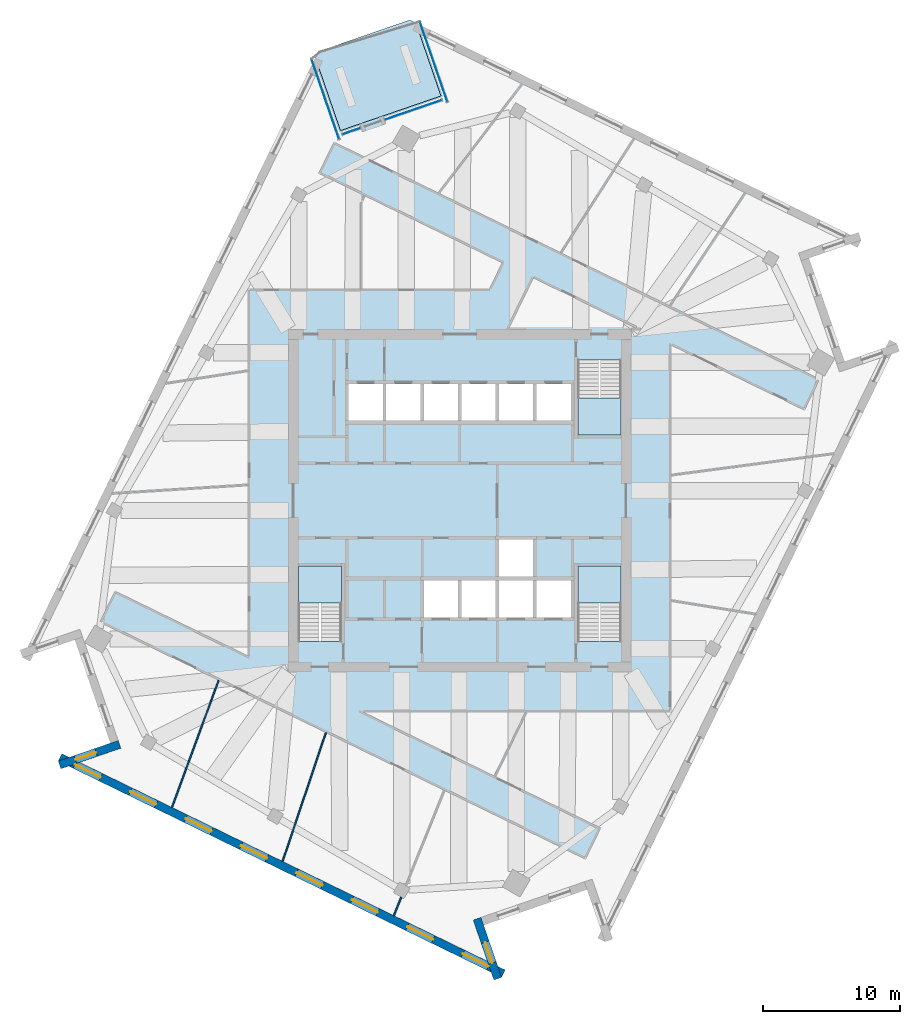
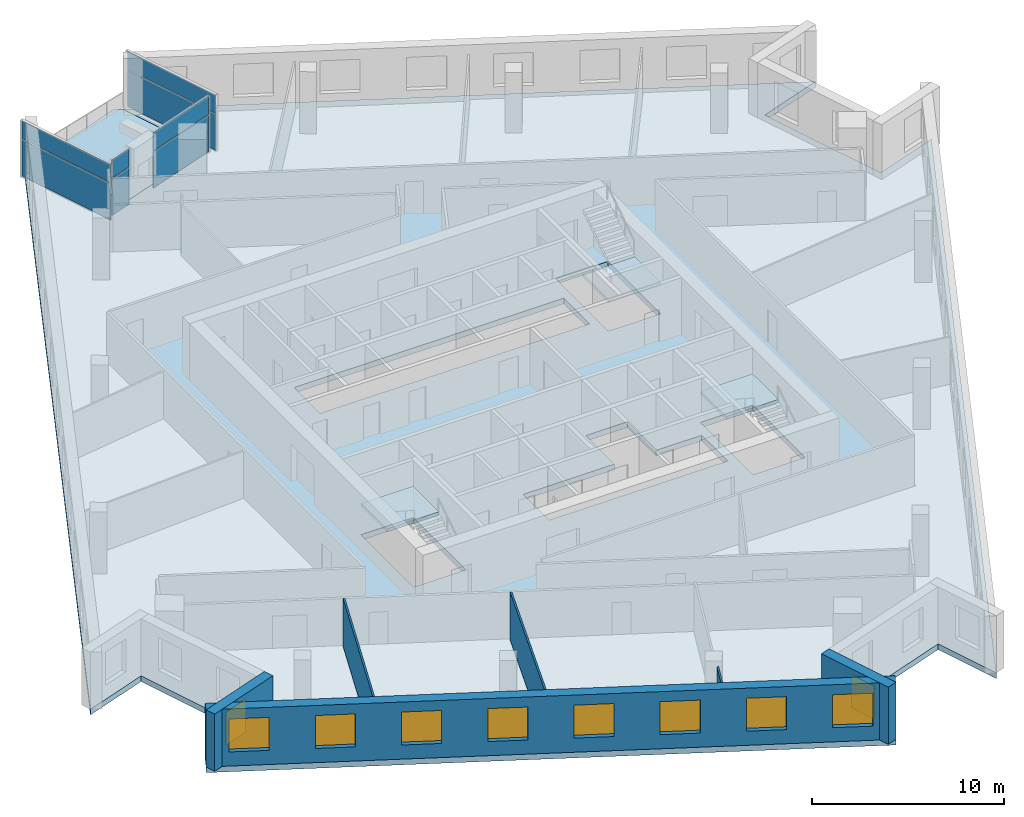
# One storey, part 5 of 13: 10 windows, 8 plates, 6 walls, 5 slabs, 10 openings, 7 elements without a shape of their own.
"""IFC4 building model written with IfcOpenShell, lengths in metres."""

import ifcopenshell
import ifcopenshell.guid

model = None  # the IFC model being written
_history = None  # IfcOwnerHistory: only IFC2X3 demands one
_inside = {}  # id of a spatial element -> (the spatial element, [elements in it])
_under = {}  # id of a project, library or spatial element -> (it, [spatial elements below it])
_declared = {}  # id of a project -> (the project, [libraries it declares])
_typed = {}  # id of a type object -> (the type object, [elements of that type])
_made_of = {}  # id of a material, layer set ... -> (it, [elements and type objects made of it])


def new_model(schema):
    """Start an empty IFC model of exactly this schema.

    Asked for "IFC4X3", IfcOpenShell would pick the latest addendum, in which some entities
    have other attributes; the version numbers below select the first issue.
    IFC2X3 requires an IfcOwnerHistory on every rooted entity: one is made here for all.
    """
    global model, _history
    if schema == "IFC4X3":
        model = ifcopenshell.file(schema_version=(4, 3, 0, 0))
    else:
        model = ifcopenshell.file(schema=schema)
    _inside.clear()
    _under.clear()
    _declared.clear()
    _typed.clear()
    _made_of.clear()
    _history = None
    if model.schema == "IFC2X3":
        org = make("IfcOrganization", Name="unknown")
        user = make(
            "IfcPersonAndOrganization",
            ThePerson=make("IfcPerson", FamilyName="unknown"),
            TheOrganization=org,
        )
        app = make(
            "IfcApplication",
            ApplicationDeveloper=org,
            Version="unknown",
            ApplicationFullName="unknown",
            ApplicationIdentifier="unknown",
        )
        _history = make(
            "IfcOwnerHistory",
            OwningUser=user,
            OwningApplication=app,
            ChangeAction="ADDED",
            CreationDate=0,
        )
    return model


def make(cls, **values):
    """One entity of the class cls with the attributes given. An attribute that is None is left unset."""
    return model.create_entity(
        cls, **{name: value for name, value in values.items() if value is not None}
    )


def rooted(cls, **values):
    """An entity with a GlobalId (a new one), such as an element, a storey or a relation."""
    return make(cls, GlobalId=ifcopenshell.guid.new(), OwnerHistory=_history, **values)


def si_unit(unit_type, name, prefix=None):
    """IfcSIUnit, for example si_unit("LENGTHUNIT", "METRE", prefix="MILLI")."""
    return make("IfcSIUnit", UnitType=unit_type, Prefix=prefix, Name=name)


def assignment(units):
    """IfcUnitAssignment: the units of a project."""
    return None if units is None else make("IfcUnitAssignment", Units=units)


def point(xyz):
    """IfcCartesianPoint."""
    return None if xyz is None else make("IfcCartesianPoint", Coordinates=xyz)


def direction(xyz):
    """IfcDirection."""
    return None if xyz is None else make("IfcDirection", DirectionRatios=xyz)


def frame(location, z_axis=None, x_axis=None):
    """IfcAxis2Placement3D, a coordinate frame: its origin and axes. An axis left out is left unset."""
    return make(
        "IfcAxis2Placement3D",
        Location=point(location),
        Axis=direction(z_axis),
        RefDirection=direction(x_axis),
    )


def frame_2d(location, x_axis=None):
    """IfcAxis2Placement2D, a coordinate frame in the plane: its origin and x axis."""
    return make(
        "IfcAxis2Placement2D", Location=point(location), RefDirection=direction(x_axis)
    )


def origin():
    """The frame at (0, 0, 0) with its axes left unset."""
    return frame((0.0, 0.0, 0.0))


def origin_2d():
    """The frame at (0, 0) in the plane with its x axis left unset."""
    return frame_2d((0.0, 0.0))


def place(relative_to, where):
    """IfcLocalPlacement: puts the frame where relative to a parent placement (None: the world)."""
    return make(
        "IfcLocalPlacement", PlacementRelTo=relative_to, RelativePlacement=where
    )


def context(
    kind, dimensions, precision=None, world=None, true_north=None, identifier=None
):
    """IfcGeometricRepresentationContext, for example the 3D "Model" context."""
    return make(
        "IfcGeometricRepresentationContext",
        ContextIdentifier=identifier,
        ContextType=kind,
        CoordinateSpaceDimension=dimensions,
        Precision=precision,
        WorldCoordinateSystem=world,
        TrueNorth=true_north,
    )


def subcontext(parent, identifier, kind, view, scale=None):
    """IfcGeometricRepresentationSubContext, for example "Body" below "Model"."""
    return make(
        "IfcGeometricRepresentationSubContext",
        ContextIdentifier=identifier,
        ContextType=kind,
        ParentContext=parent,
        TargetScale=scale,
        TargetView=view,
    )


def project(units=None, contexts=None):
    """IfcProject with its units and contexts."""
    return rooted(
        "IfcProject",
        Name="project",
        RepresentationContexts=contexts,
        UnitsInContext=assignment(units),
    )


def spatial(cls, under=None, at=None, **own):
    """A site, building, storey or space (cls), placed at a placement, below another one or the project."""
    s = rooted(cls, ObjectPlacement=at, **own)
    if under is not None:
        _under.setdefault(under.id(), (under, []))[1].append(s)
    return s


def polyline(points):
    """IfcPolyline through the points."""
    return make("IfcPolyline", Points=[point(p) for p in points])


def profile(cls, at=None, kind="AREA", **sizes):
    """A parametric profile (cls). Its sizes go by their IFC names, for example OverallWidth=200.0."""
    return make(cls, ProfileType=kind, Position=at, **sizes)


def rectangle(**sizes):
    """IfcRectangleProfileDef."""
    return profile("IfcRectangleProfileDef", **sizes)


def outline(outer, holes=None, kind="AREA"):
    """IfcArbitraryClosedProfileDef: a profile drawn as a closed curve; with holes, ...WithVoids."""
    if holes is None:
        return make("IfcArbitraryClosedProfileDef", ProfileType=kind, OuterCurve=outer)
    return make(
        "IfcArbitraryProfileDefWithVoids",
        ProfileType=kind,
        OuterCurve=outer,
        InnerCurves=holes,
    )


def extrude(swept, where, along, depth):
    """IfcExtrudedAreaSolid: the profile swept, set in the frame where, extruded along a direction by depth."""
    return make(
        "IfcExtrudedAreaSolid",
        SweptArea=swept,
        Position=where,
        ExtrudedDirection=direction(along),
        Depth=depth,
    )


def shape(context_of_items, identifier, shape_type, items):
    """IfcShapeRepresentation: the items that make up one representation, for example the "Body"."""
    return make(
        "IfcShapeRepresentation",
        ContextOfItems=context_of_items,
        RepresentationIdentifier=identifier,
        RepresentationType=shape_type,
        Items=items,
    )


def material(Name=None, Category=None):
    """IfcMaterial."""
    return make("IfcMaterial", Name=Name, Category=Category)


def layer(
    of_material, thickness, ventilated=None, Name=None, Category=None, Priority=None
):
    """IfcMaterialLayer: one layer of a wall or slab, of a material (None: an air gap)."""
    return make(
        "IfcMaterialLayer",
        Material=of_material,
        LayerThickness=thickness,
        IsVentilated=ventilated,
        Name=Name,
        Category=Category,
        Priority=Priority,
    )


def layer_set(layers, Name=None):
    """IfcMaterialLayerSet."""
    return make("IfcMaterialLayerSet", MaterialLayers=layers, LayerSetName=Name)


def made_of(thing, what):
    """Note that an element or type object is made of a material, layer set ...; save() writes the relation."""
    if what is not None:
        _made_of.setdefault(what.id(), (what, []))[1].append(thing)
    return thing


def type_object(cls, material=None, **own):
    """A type object (cls), such as IfcWallType, which elements share."""
    return made_of(rooted(cls, **own), material)


def element(
    cls,
    number,
    at=None,
    inside=None,
    cuts=None,
    type_object=None,
    material=None,
    context=None,
    identifier="Body",
    shape_type=None,
    held_by="IfcProductDefinitionShape",
    body=None,
    shapes=None,
    **own,
):
    """One element of the class cls, such as IfcWall. Its Tag is "e" and its number.

    at: its placement. inside: the storey or other place that contains it. cuts: it is an
    opening in that element (IfcRelVoidsElement). A single representation is given by context,
    identifier, shape_type and body (its items); several are given by shapes. held_by: the class
    of the entity that holds the representations. save() writes the other relations.
    """
    e = rooted(cls, Tag="e%d" % number, ObjectPlacement=at, **own)
    if body is not None:
        shapes = [shape(context, identifier, shape_type, body)]
    if shapes is not None:
        e.Representation = make(held_by, Representations=shapes)
    if inside is not None:
        _inside.setdefault(inside.id(), (inside, []))[1].append(e)
    if cuts is not None:
        rooted(
            "IfcRelVoidsElement", RelatingBuildingElement=cuts, RelatedOpeningElement=e
        )
    if type_object is not None:
        _typed.setdefault(type_object.id(), (type_object, []))[1].append(e)
    return made_of(e, material)


def fill(opening, filler):
    """IfcRelFillsElement: the door or window that sits in an opening."""
    return rooted(
        "IfcRelFillsElement",
        RelatingOpeningElement=opening,
        RelatedBuildingElement=filler,
    )


def aggregate(whole, parts):
    """IfcRelAggregates: a whole, such as a stair, and the parts it consists of."""
    return rooted("IfcRelAggregates", RelatingObject=whole, RelatedObjects=parts)


def save(model, path):
    """Write the relations noted so far, then the file.

    IfcRelAggregates (storeys below a building ...), IfcRelContainedInSpatialStructure (elements
    in a storey), IfcRelDefinesByType, IfcRelAssociatesMaterial and IfcRelDeclares: one each for
    every whole, place, type object, material and project.
    """
    for whole, parts in _under.values():
        aggregate(whole, parts)
    for where, things in _inside.values():
        rooted(
            "IfcRelContainedInSpatialStructure",
            RelatedElements=things,
            RelatingStructure=where,
        )
    for kind, things in _typed.values():
        rooted("IfcRelDefinesByType", RelatedObjects=things, RelatingType=kind)
    for what, things in _made_of.values():
        rooted("IfcRelAssociatesMaterial", RelatedObjects=things, RelatingMaterial=what)
    for by, libraries in _declared.values():
        rooted("IfcRelDeclares", RelatingContext=by, RelatedDefinitions=libraries)
    model.write(path)


model = new_model("IFC4")

# Units and contexts
model_context = context("Model", 3, precision=1e-05, world=origin(), true_north=direction((0.0, 1.0)))
body_context = subcontext(model_context, "Body", "Model", "MODEL_VIEW")
ifc_project = project(units=[si_unit("LENGTHUNIT", "METRE"), si_unit("AREAUNIT", "SQUARE_METRE"), si_unit("VOLUMEUNIT", "CUBIC_METRE"), si_unit("PLANEANGLEUNIT", "RADIAN"), si_unit("MASSUNIT", "GRAM", prefix="KILO")], contexts=[model_context])

# Site, building, storey
site_placement = place(None, origin())
site = spatial("IfcSite", under=ifc_project, at=site_placement, CompositionType="ELEMENT")
building_placement = place(site_placement, origin())
building = spatial("IfcBuilding", under=site, at=building_placement, Name="Dilmun Exchange Tower", CompositionType="ELEMENT")
storey_placement = place(building_placement, frame((0.0, 0.0, 286.89990234375)))
storey = spatial("IfcBuildingStorey", under=building, at=storey_placement, Name="L68", CompositionType="ELEMENT", Elevation=286.89990234375)

# Stair, slab
ifc_material_1 = material(Name="Concrete C40/50", Category="concrete")
stair_type = type_object("IfcStairType", Name="Exit stair 1500 half-turn", PredefinedType="HALF_TURN_STAIR", material=ifc_material_1)
stair_1_placement = place(storey_placement, origin())
stair_1 = element("IfcStair", 1, at=stair_1_placement, inside=storey, type_object=stair_type, Name="L68 Protected exit stair ST1", PredefinedType="HALF_TURN_STAIR")
ifc_layer_1 = layer(ifc_material_1, 0.199951171875)
ifc_layer_set_1 = layer_set([ifc_layer_1], Name="Concrete C40/50")
slab_type_1 = type_object("IfcSlabType", Name="Exit stair landing 200", PredefinedType="LANDING", material=ifc_layer_set_1)
slab_1_placement = place(storey_placement, frame((0.0, 0.0, 1.800048828125)))
slab_1 = element("IfcSlab", 2, at=slab_1_placement, type_object=slab_type_1, Name="ST1 landing 1", PredefinedType="LANDING", context=body_context, shape_type="SweptSolid", body=[
    extrude(outline(polyline([(8.64990234375, 7.5), (8.64990234375, 4.800048828125), (11.800048828125, 4.800048828125), (11.800048828125, 7.5), (8.64990234375, 7.5)])), origin(), (0.0, 0.0, 1.0), 0.199951171875),
])
aggregate(stair_1, [slab_1])

stair_2_placement = place(storey_placement, origin())
stair_2 = element("IfcStair", 3, at=stair_2_placement, inside=storey, type_object=stair_type, Name="L68 Protected exit stair ST2", PredefinedType="HALF_TURN_STAIR")
slab_2_placement = place(storey_placement, frame((0.0, 0.0, 1.800048828125)))
slab_2 = element("IfcSlab", 4, at=slab_2_placement, type_object=slab_type_1, Name="ST2 landing 1", PredefinedType="LANDING", context=body_context, shape_type="SweptSolid", body=[
    extrude(outline(polyline([(-8.64990234375, -7.5), (-8.64990234375, -4.800048828125), (-11.800048828125, -4.800048828125), (-11.800048828125, -7.5), (-8.64990234375, -7.5)])), origin(), (0.0, 0.0, 1.0), 0.199951171875),
])
aggregate(stair_2, [slab_2])

stair_3_placement = place(storey_placement, origin())
stair_3 = element("IfcStair", 5, at=stair_3_placement, inside=storey, type_object=stair_type, Name="L68 Protected exit stair ST3", PredefinedType="HALF_TURN_STAIR")
slab_3_placement = place(storey_placement, frame((0.0, 0.0, 1.800048828125)))
slab_3 = element("IfcSlab", 6, at=slab_3_placement, type_object=slab_type_1, Name="ST3 landing 1", PredefinedType="LANDING", context=body_context, shape_type="SweptSolid", body=[
    extrude(outline(polyline([(11.800048828125, -7.5), (11.800048828125, -4.800048828125), (8.64990234375, -4.800048828125), (8.64990234375, -7.5), (11.800048828125, -7.5)])), origin(), (0.0, 0.0, 1.0), 0.199951171875),
])
aggregate(stair_3, [slab_3])

# Curtain wall, plates
ifc_material_2 = material(Name="Anodised aluminium and clear glass", Category="aluminium")
curtain_wall_type = type_object("IfcCurtainWallType", Name="Garden corner glazing", PredefinedType="NOTDEFINED", material=ifc_material_2)
curtain_wall_1_placement = place(storey_placement, origin())
curtain_wall_1 = element("IfcCurtainWall", 7, at=curtain_wall_1_placement, inside=storey, type_object=curtain_wall_type, Name="Garden corner glazing run GC1.1", PredefinedType="NOTDEFINED")
ifc_material_3 = material(Name="Clear glass", Category="glass")
ifc_layer_2 = layer(ifc_material_3, 0.028076171875)
ifc_layer_set_2 = layer_set([ifc_layer_2], Name="Clear glass")
plate_type = type_object("IfcPlateType", Name="Garden corner glazing glass panel 28", PredefinedType="CURTAIN_PANEL", material=ifc_layer_set_2)
plate_1_placement = place(storey_placement, frame((-1.906494140625, 32.086669921875, 0.06005859375), z_axis=(0.0, 0.0, 1.0), x_axis=(0.325577698297, -0.945515289338, 0.0)))
plate_1 = element("IfcPlate", 8, at=plate_1_placement, type_object=plate_type, Name="GC1.1 panel 1.1", PredefinedType="CURTAIN_PANEL", context=body_context, shape_type="SweptSolid", body=[
    extrude(rectangle(XDim=6.12646484375, YDim=0.028076171875, at=origin_2d()), origin(), (0.0, 0.0, 1.0), 2.31005859375),
])
plate_2_placement = place(storey_placement, frame((-1.906494140625, 32.086669921875, 2.43017578125), z_axis=(0.0, 0.0, 1.0), x_axis=(0.325577698297, -0.945515289338, 0.0)))
plate_2 = element("IfcPlate", 9, at=plate_2_placement, type_object=plate_type, Name="GC1.1 panel 1.2", PredefinedType="CURTAIN_PANEL", context=body_context, shape_type="SweptSolid", body=[
    extrude(rectangle(XDim=6.12646484375, YDim=0.028076171875, at=origin_2d()), origin(), (0.0, 0.0, 1.0), 1.14990234375),
])
aggregate(curtain_wall_1, [plate_1, plate_2])

curtain_wall_2_placement = place(storey_placement, origin())
curtain_wall_2 = element("IfcCurtainWall", 10, at=curtain_wall_2_placement, inside=storey, type_object=curtain_wall_type, Name="Garden corner glazing run GC2.1", PredefinedType="NOTDEFINED")
plate_3_placement = place(storey_placement, frame((-3.393310546875, 28.5888671875, 0.06005859375), z_axis=(0.0, 0.0, 1.0), x_axis=(-0.945520837584, -0.325561585103, 0.0)))
plate_3 = element("IfcPlate", 11, at=plate_3_placement, type_object=plate_type, Name="GC2.1 panel 1.1", PredefinedType="CURTAIN_PANEL", context=body_context, shape_type="SweptSolid", body=[
    extrude(rectangle(XDim=4.369140625, YDim=0.028076171875, at=origin_2d()), origin(), (0.0, 0.0, 1.0), 2.31005859375),
])
plate_4_placement = place(storey_placement, frame((-3.393310546875, 28.5888671875, 2.43017578125), z_axis=(0.0, 0.0, 1.0), x_axis=(-0.945520837584, -0.325561585103, 0.0)))
plate_4 = element("IfcPlate", 12, at=plate_4_placement, type_object=plate_type, Name="GC2.1 panel 1.2", PredefinedType="CURTAIN_PANEL", context=body_context, shape_type="SweptSolid", body=[
    extrude(rectangle(XDim=4.369140625, YDim=0.028076171875, at=origin_2d()), origin(), (0.0, 0.0, 1.0), 1.14990234375),
])
aggregate(curtain_wall_2, [plate_3, plate_4])

curtain_wall_3_placement = place(storey_placement, origin())
curtain_wall_3 = element("IfcCurtainWall", 13, at=curtain_wall_3_placement, inside=storey, type_object=curtain_wall_type, Name="Garden corner glazing run GC2.3", PredefinedType="NOTDEFINED")
plate_5_placement = place(storey_placement, frame((-7.92138671875, 27.02978515625, 0.06005859375), z_axis=(0.0, 0.0, 1.0), x_axis=(-0.945521320694, -0.325560182015, 0.0)))
plate_5 = element("IfcPlate", 14, at=plate_5_placement, type_object=plate_type, Name="GC2.3 panel 1.1", PredefinedType="CURTAIN_PANEL", context=body_context, shape_type="SweptSolid", body=[
    extrude(rectangle(XDim=1.369140625, YDim=0.028076171875, at=origin_2d()), origin(), (0.0, 0.0, 1.0), 2.31005859375),
])
plate_6_placement = place(storey_placement, frame((-7.92138671875, 27.02978515625, 2.43017578125), z_axis=(0.0, 0.0, 1.0), x_axis=(-0.945521320694, -0.325560182015, 0.0)))
plate_6 = element("IfcPlate", 15, at=plate_6_placement, type_object=plate_type, Name="GC2.3 panel 1.2", PredefinedType="CURTAIN_PANEL", context=body_context, shape_type="SweptSolid", body=[
    extrude(rectangle(XDim=1.369140625, YDim=0.028076171875, at=origin_2d()), origin(), (0.0, 0.0, 1.0), 1.14990234375),
])
aggregate(curtain_wall_3, [plate_5, plate_6])

curtain_wall_4_placement = place(storey_placement, origin())
curtain_wall_4 = element("IfcCurtainWall", 16, at=curtain_wall_4_placement, inside=storey, type_object=curtain_wall_type, Name="Garden corner glazing run GC3.1", PredefinedType="NOTDEFINED")
plate_7_placement = place(storey_placement, frame((-9.828125, 29.359130859375, 0.06005859375), z_axis=(0.0, 0.0, 1.0), x_axis=(-0.325572770145, 0.945516986278, 0.0)))
plate_7 = element("IfcPlate", 17, at=plate_7_placement, type_object=plate_type, Name="GC3.1 panel 1.1", PredefinedType="CURTAIN_PANEL", context=body_context, shape_type="SweptSolid", body=[
    extrude(rectangle(XDim=6.12646484375, YDim=0.028076171875, at=origin_2d()), origin(), (0.0, 0.0, 1.0), 2.31005859375),
])
plate_8_placement = place(storey_placement, frame((-9.828125, 29.359130859375, 2.43017578125), z_axis=(0.0, 0.0, 1.0), x_axis=(-0.325572770145, 0.945516986278, 0.0)))
plate_8 = element("IfcPlate", 18, at=plate_8_placement, type_object=plate_type, Name="GC3.1 panel 1.2", PredefinedType="CURTAIN_PANEL", context=body_context, shape_type="SweptSolid", body=[
    extrude(rectangle(XDim=6.12646484375, YDim=0.028076171875, at=origin_2d()), origin(), (0.0, 0.0, 1.0), 1.14990234375),
])
aggregate(curtain_wall_4, [plate_7, plate_8])

# Slabs
ifc_layer_3 = layer(ifc_material_1, 0.360107421875)
ifc_layer_set_3 = layer_set([ifc_layer_3], Name="Concrete C40/50")
slab_type_2 = type_object("IfcSlabType", Name="RC floor slab 360", PredefinedType="FLOOR", material=ifc_layer_set_3)
slab_4_placement = place(storey_placement, frame((0.0, 0.0, -0.35986328125)))
element("IfcSlab", 19, at=slab_4_placement, inside=storey, type_object=slab_type_2, Name="Floor slab", PredefinedType="FLOOR", context=body_context, shape_type="SweptSolid", body=[
    extrude(outline(polyline([(25.552490234375, 17.740478515625), (28.156982421875, 10.17626953125), (31.972900390625, 11.489990234375), (10.630126953125, -32.268798828125), (9.316162109375, -28.453125), (1.752197265625, -31.0576171875), (3.06591796875, -34.873291015625), (-29.3681640625, -19.05419921875), (-25.552490234375, -17.740478515625), (-28.156982421875, -10.17626953125), (-31.972900390625, -11.489990234375), (-10.561279296875, 32.409912109375), (-8.722900390625, 27.071044921875), (-1.36865234375, 29.603515625), (-3.206787109375, 34.942138671875), (29.3681640625, 19.05419921875), (25.552490234375, 17.740478515625)]), holes=[polyline([(-8.64990234375, -4.800048828125), (-11.800048828125, -4.800048828125), (-11.800048828125, -10.294921875), (-8.64990234375, -10.294921875), (-8.64990234375, -4.800048828125)]), polyline([(11.800048828125, -4.800048828125), (8.64990234375, -4.800048828125), (8.64990234375, -10.294921875), (11.800048828125, -10.294921875), (11.800048828125, -4.800048828125)]), polyline([(2.875, -5.85009765625), (-2.625, -5.85009765625), (-2.625, -8.550048828125), (8.125, -8.550048828125), (8.125, -5.85009765625), (5.375, -5.85009765625), (5.375, -2.85009765625), (2.875, -2.85009765625), (2.875, -5.85009765625)]), polyline([(8.125, 5.85009765625), (8.125, 8.550048828125), (-8.125, 8.550048828125), (-8.125, 5.85009765625), (8.125, 5.85009765625)]), polyline([(8.64990234375, 10.294921875), (8.64990234375, 4.800048828125), (11.800048828125, 4.800048828125), (11.800048828125, 10.294921875), (8.64990234375, 10.294921875)])]), origin(), (0.0, 0.0, 1.0), 0.35986328125),
])
ifc_layer_4 = layer(ifc_material_1, 0.300048828125)
ifc_layer_set_4 = layer_set([ifc_layer_4], Name="Concrete C40/50")
slab_type_3 = type_object("IfcSlabType", Name="RC garden terrace slab 300", PredefinedType="FLOOR", material=ifc_layer_set_4)
slab_5_placement = place(storey_placement, frame((0.0, 0.0, -0.2998046875)))
element("IfcSlab", 20, at=slab_5_placement, inside=storey, type_object=slab_type_3, Name="Garden terrace slab", PredefinedType="FLOOR", context=body_context, shape_type="SweptSolid", body=[
    extrude(outline(polyline([(-8.722900390625, 27.071044921875), (-10.561279296875, 32.409912109375), (-10.342041015625, 32.859130859375), (-3.65625, 35.161376953125), (-3.206787109375, 34.942138671875), (-1.36865234375, 29.603515625), (-8.722900390625, 27.071044921875)])), origin(), (0.0, 0.0, 1.0), 0.2998046875),
])

# Walls
ifc_material_4 = material(Name="Partition 100")
ifc_layer_5 = layer(ifc_material_4, 0.10009765625)
ifc_layer_set_5 = layer_set([ifc_layer_5], Name="Partition 100")
wall_type_1 = type_object("IfcWallType", Name="Partition 100", PredefinedType="PARTITIONING", material=ifc_layer_set_5)
wall_1_placement = place(storey_placement, frame((-21.050537109375, -22.441162109375, 0.0), z_axis=(0.0, 0.0, 1.0), x_axis=(0.344611208879, 0.938745500503, 0.0)))
element("IfcWall", 21, at=wall_1_placement, inside=storey, type_object=wall_type_1, Name="Partition", PredefinedType="PARTITIONING", context=body_context, shape_type="SweptSolid", body=[
    extrude(rectangle(XDim=9.897705078125, YDim=0.10009765625, at=frame_2d((4.94873046875, 0.0))), origin(), (0.0, 0.0, 1.0), 3.0400390625),
])
wall_2_placement = place(storey_placement, frame((-12.95654296875, -26.388916015625, 0.0), z_axis=(0.0, 0.0, 1.0), x_axis=(0.318735029826, 0.947843858851, 0.0)))
element("IfcWall", 22, at=wall_2_placement, inside=storey, type_object=wall_type_1, Name="Partition", PredefinedType="PARTITIONING", context=body_context, shape_type="SweptSolid", body=[
    extrude(rectangle(XDim=9.927734375, YDim=0.10009765625, at=frame_2d((4.9638671875, 0.0))), origin(), (0.0, 0.0, 1.0), 3.0400390625),
])
wall_3_placement = place(storey_placement, frame((-4.81689453125, -30.35888671875, 0.0), z_axis=(0.0, 0.0, 1.0), x_axis=(0.373182072461, 0.927758126234, 0.0)))
element("IfcWall", 23, at=wall_3_placement, inside=storey, type_object=wall_type_1, Name="Partition", PredefinedType="PARTITIONING", context=body_context, shape_type="SweptSolid", body=[
    extrude(rectangle(XDim=1.456298828125, YDim=0.10009765625, at=frame_2d((0.72802734375, 0.0))), origin(), (0.0, 0.0, 1.0), 3.64013671875),
])

# Wall, opening, window
ifc_material_5 = material(Name="Precast concrete C50/60", Category="concrete")
ifc_layer_6 = layer(ifc_material_5, 0.60009765625)
ifc_layer_set_6 = layer_set([ifc_layer_6], Name="Precast concrete C50/60")
wall_type_2 = type_object("IfcWallType", Name="Precast stone-clad wall 600", PredefinedType="STANDARD", material=ifc_layer_set_6)
wall_4_placement = place(storey_placement, frame((-24.8876953125, -17.82861328125, 0.0), z_axis=(0.0, 0.0, 1.0), x_axis=(-0.945508349791, -0.325597850847, 0.0)))
wall_4 = element("IfcWall", 24, at=wall_4_placement, inside=storey, type_object=wall_type_2, Name="Facade wall L68-06", PredefinedType="STANDARD", context=body_context, shape_type="SweptSolid", body=[
    extrude(rectangle(XDim=4.635498046875, YDim=0.60009765625, at=frame_2d((2.31787109375, 0.0))), origin(), (0.0, 0.0, 1.0), 3.64013671875),
])
opening_1_placement = place(wall_4_placement, frame((1.81787109375, 0.0, 0.89990234375)))
opening_1 = element("IfcOpeningElement", 25, at=opening_1_placement, cuts=wall_4, Name="Opening W160-210", PredefinedType="OPENING", context=body_context, shape_type="SweptSolid", body=[
    extrude(rectangle(XDim=1.60009765625, YDim=2.10009765625, at=frame_2d((0.800048828125, 1.050048828125))), frame((0.0, 0.31005859375, 0.0), z_axis=(0.0, -1.0, 0.0), x_axis=(1.0, 0.0, 0.0)), (0.0, 0.0, 1.0), 0.6201171875),
])
ifc_material_6 = material(Name="Clear low-emissivity glass in aluminium frame", Category="aluminium")
window_type_1 = type_object("IfcWindowType", Name="Punched window 1600 x 2100", PartitioningType="DOUBLE_PANEL_VERTICAL", PredefinedType="WINDOW", material=ifc_material_6)
window_1_placement = place(opening_1_placement, origin())
window_1 = element("IfcWindow", 26, at=window_1_placement, inside=storey, type_object=window_type_1, Name="Window 7.1", OverallHeight=2.10009765625, OverallWidth=1.60009765625, PartitioningType="SINGLE_PANEL", PredefinedType="WINDOW", context=body_context, shape_type="SweptSolid", body=[
    extrude(rectangle(XDim=1.60009765625, YDim=2.10009765625, at=frame_2d((0.800048828125, 1.050048828125))), frame((0.0, 0.030029296875, 0.0), z_axis=(0.0, -1.0, 0.0), x_axis=(1.0, 0.0, 0.0)), (0.0, 0.0, 1.0), 0.06005859375),
])
fill(opening_1, window_1)

# Wall, openings, windows
wall_5_placement = place(storey_placement, frame((-29.23681640625, -18.78466796875, 0.0), z_axis=(0.0, 0.0, 1.0), x_axis=(0.898796077823, -0.438366981524, 0.0)))
wall_5 = element("IfcWall", 27, at=wall_5_placement, inside=storey, type_object=wall_type_2, Name="Facade wall L68-07", PredefinedType="STANDARD", context=body_context, shape_type="SweptSolid", body=[
    extrude(rectangle(XDim=36.08642578125, YDim=0.60009765625, at=frame_2d((18.043212890625, 0.0))), origin(), (0.0, 0.0, 1.0), 3.64013671875),
])
opening_2_placement = place(wall_5_placement, frame((1.205322265625, 0.0, 0.89990234375)))
opening_2 = element("IfcOpeningElement", 28, at=opening_2_placement, cuts=wall_5, Name="Opening W210-210", PredefinedType="OPENING", context=body_context, shape_type="SweptSolid", body=[
    extrude(rectangle(XDim=2.10009765625, YDim=2.10009765625, at=frame_2d((1.050048828125, 1.050048828125))), frame((0.0, 0.31005859375, 0.0), z_axis=(0.0, -1.0, 0.0), x_axis=(1.0, 0.0, 0.0)), (0.0, 0.0, 1.0), 0.6201171875),
])
opening_3_placement = place(wall_5_placement, frame((5.71630859375, 0.0, 0.89990234375)))
opening_3 = element("IfcOpeningElement", 29, at=opening_3_placement, cuts=wall_5, Name="Opening W210-210", PredefinedType="OPENING", context=body_context, shape_type="SweptSolid", body=[
    extrude(rectangle(XDim=2.10009765625, YDim=2.10009765625, at=frame_2d((1.050048828125, 1.050048828125))), frame((0.0, 0.31005859375, 0.0), z_axis=(0.0, -1.0, 0.0), x_axis=(1.0, 0.0, 0.0)), (0.0, 0.0, 1.0), 0.6201171875),
])
opening_4_placement = place(wall_5_placement, frame((10.22705078125, 0.0, 0.89990234375)))
opening_4 = element("IfcOpeningElement", 30, at=opening_4_placement, cuts=wall_5, Name="Opening W210-210", PredefinedType="OPENING", context=body_context, shape_type="SweptSolid", body=[
    extrude(rectangle(XDim=2.10009765625, YDim=2.10009765625, at=frame_2d((1.050048828125, 1.050048828125))), frame((0.0, 0.31005859375, 0.0), z_axis=(0.0, -1.0, 0.0), x_axis=(1.0, 0.0, 0.0)), (0.0, 0.0, 1.0), 0.6201171875),
])
opening_5_placement = place(wall_5_placement, frame((14.73779296875, 0.0, 0.89990234375)))
opening_5 = element("IfcOpeningElement", 31, at=opening_5_placement, cuts=wall_5, Name="Opening W210-210", PredefinedType="OPENING", context=body_context, shape_type="SweptSolid", body=[
    extrude(rectangle(XDim=2.10009765625, YDim=2.10009765625, at=frame_2d((1.050048828125, 1.050048828125))), frame((0.0, 0.31005859375, 0.0), z_axis=(0.0, -1.0, 0.0), x_axis=(1.0, 0.0, 0.0)), (0.0, 0.0, 1.0), 0.6201171875),
])
opening_6_placement = place(wall_5_placement, frame((19.24853515625, 0.0, 0.89990234375)))
opening_6 = element("IfcOpeningElement", 32, at=opening_6_placement, cuts=wall_5, Name="Opening W210-210", PredefinedType="OPENING", context=body_context, shape_type="SweptSolid", body=[
    extrude(rectangle(XDim=2.10009765625, YDim=2.10009765625, at=frame_2d((1.050048828125, 1.050048828125))), frame((0.0, 0.31005859375, 0.0), z_axis=(0.0, -1.0, 0.0), x_axis=(1.0, 0.0, 0.0)), (0.0, 0.0, 1.0), 0.6201171875),
])
opening_7_placement = place(wall_5_placement, frame((23.75927734375, 0.0, 0.89990234375)))
opening_7 = element("IfcOpeningElement", 33, at=opening_7_placement, cuts=wall_5, Name="Opening W210-210", PredefinedType="OPENING", context=body_context, shape_type="SweptSolid", body=[
    extrude(rectangle(XDim=2.10009765625, YDim=2.10009765625, at=frame_2d((1.050048828125, 1.050048828125))), frame((0.0, 0.31005859375, 0.0), z_axis=(0.0, -1.0, 0.0), x_axis=(1.0, 0.0, 0.0)), (0.0, 0.0, 1.0), 0.6201171875),
])
opening_8_placement = place(wall_5_placement, frame((28.27001953125, 0.0, 0.89990234375)))
opening_8 = element("IfcOpeningElement", 34, at=opening_8_placement, cuts=wall_5, Name="Opening W210-210", PredefinedType="OPENING", context=body_context, shape_type="SweptSolid", body=[
    extrude(rectangle(XDim=2.10009765625, YDim=2.10009765625, at=frame_2d((1.050048828125, 1.050048828125))), frame((0.0, 0.31005859375, 0.0), z_axis=(0.0, -1.0, 0.0), x_axis=(1.0, 0.0, 0.0)), (0.0, 0.0, 1.0), 0.6201171875),
])
opening_9_placement = place(wall_5_placement, frame((32.781005859375, 0.0, 0.89990234375)))
opening_9 = element("IfcOpeningElement", 35, at=opening_9_placement, cuts=wall_5, Name="Opening W210-210", PredefinedType="OPENING", context=body_context, shape_type="SweptSolid", body=[
    extrude(rectangle(XDim=2.10009765625, YDim=2.10009765625, at=frame_2d((1.050048828125, 1.050048828125))), frame((0.0, 0.31005859375, 0.0), z_axis=(0.0, -1.0, 0.0), x_axis=(1.0, 0.0, 0.0)), (0.0, 0.0, 1.0), 0.6201171875),
])
window_type_2 = type_object("IfcWindowType", Name="Punched window 2100 x 2100", PartitioningType="DOUBLE_PANEL_VERTICAL", PredefinedType="WINDOW", material=ifc_material_6)
window_2_placement = place(opening_2_placement, origin())
window_2 = element("IfcWindow", 36, at=window_2_placement, inside=storey, type_object=window_type_2, Name="Window 8.1", OverallHeight=2.10009765625, OverallWidth=2.10009765625, PartitioningType="SINGLE_PANEL", PredefinedType="WINDOW", context=body_context, shape_type="SweptSolid", body=[
    extrude(rectangle(XDim=2.10009765625, YDim=2.10009765625, at=frame_2d((1.050048828125, 1.050048828125))), frame((0.0, 0.030029296875, 0.0), z_axis=(0.0, -1.0, 0.0), x_axis=(1.0, 0.0, 0.0)), (0.0, 0.0, 1.0), 0.06005859375),
])
fill(opening_2, window_2)
window_3_placement = place(opening_3_placement, origin())
window_3 = element("IfcWindow", 37, at=window_3_placement, inside=storey, type_object=window_type_2, Name="Window 8.2", OverallHeight=2.10009765625, OverallWidth=2.10009765625, PartitioningType="SINGLE_PANEL", PredefinedType="WINDOW", context=body_context, shape_type="SweptSolid", body=[
    extrude(rectangle(XDim=2.10009765625, YDim=2.10009765625, at=frame_2d((1.050048828125, 1.050048828125))), frame((0.0, 0.030029296875, 0.0), z_axis=(0.0, -1.0, 0.0), x_axis=(1.0, 0.0, 0.0)), (0.0, 0.0, 1.0), 0.06005859375),
])
fill(opening_3, window_3)
window_4_placement = place(opening_4_placement, origin())
window_4 = element("IfcWindow", 38, at=window_4_placement, inside=storey, type_object=window_type_2, Name="Window 8.3", OverallHeight=2.10009765625, OverallWidth=2.10009765625, PartitioningType="SINGLE_PANEL", PredefinedType="WINDOW", context=body_context, shape_type="SweptSolid", body=[
    extrude(rectangle(XDim=2.10009765625, YDim=2.10009765625, at=frame_2d((1.050048828125, 1.050048828125))), frame((0.0, 0.030029296875, 0.0), z_axis=(0.0, -1.0, 0.0), x_axis=(1.0, 0.0, 0.0)), (0.0, 0.0, 1.0), 0.06005859375),
])
fill(opening_4, window_4)
window_5_placement = place(opening_5_placement, origin())
window_5 = element("IfcWindow", 39, at=window_5_placement, inside=storey, type_object=window_type_2, Name="Window 8.4", OverallHeight=2.10009765625, OverallWidth=2.10009765625, PartitioningType="SINGLE_PANEL", PredefinedType="WINDOW", context=body_context, shape_type="SweptSolid", body=[
    extrude(rectangle(XDim=2.10009765625, YDim=2.10009765625, at=frame_2d((1.050048828125, 1.050048828125))), frame((0.0, 0.030029296875, 0.0), z_axis=(0.0, -1.0, 0.0), x_axis=(1.0, 0.0, 0.0)), (0.0, 0.0, 1.0), 0.06005859375),
])
fill(opening_5, window_5)
window_6_placement = place(opening_6_placement, origin())
window_6 = element("IfcWindow", 40, at=window_6_placement, inside=storey, type_object=window_type_2, Name="Window 8.5", OverallHeight=2.10009765625, OverallWidth=2.10009765625, PartitioningType="SINGLE_PANEL", PredefinedType="WINDOW", context=body_context, shape_type="SweptSolid", body=[
    extrude(rectangle(XDim=2.10009765625, YDim=2.10009765625, at=frame_2d((1.050048828125, 1.050048828125))), frame((0.0, 0.030029296875, 0.0), z_axis=(0.0, -1.0, 0.0), x_axis=(1.0, 0.0, 0.0)), (0.0, 0.0, 1.0), 0.06005859375),
])
fill(opening_6, window_6)
window_7_placement = place(opening_7_placement, origin())
window_7 = element("IfcWindow", 41, at=window_7_placement, inside=storey, type_object=window_type_2, Name="Window 8.6", OverallHeight=2.10009765625, OverallWidth=2.10009765625, PartitioningType="SINGLE_PANEL", PredefinedType="WINDOW", context=body_context, shape_type="SweptSolid", body=[
    extrude(rectangle(XDim=2.10009765625, YDim=2.10009765625, at=frame_2d((1.050048828125, 1.050048828125))), frame((0.0, 0.030029296875, 0.0), z_axis=(0.0, -1.0, 0.0), x_axis=(1.0, 0.0, 0.0)), (0.0, 0.0, 1.0), 0.06005859375),
])
fill(opening_7, window_7)
window_8_placement = place(opening_8_placement, origin())
window_8 = element("IfcWindow", 42, at=window_8_placement, inside=storey, type_object=window_type_2, Name="Window 8.7", OverallHeight=2.10009765625, OverallWidth=2.10009765625, PartitioningType="SINGLE_PANEL", PredefinedType="WINDOW", context=body_context, shape_type="SweptSolid", body=[
    extrude(rectangle(XDim=2.10009765625, YDim=2.10009765625, at=frame_2d((1.050048828125, 1.050048828125))), frame((0.0, 0.030029296875, 0.0), z_axis=(0.0, -1.0, 0.0), x_axis=(1.0, 0.0, 0.0)), (0.0, 0.0, 1.0), 0.06005859375),
])
fill(opening_8, window_8)
window_9_placement = place(opening_9_placement, origin())
window_9 = element("IfcWindow", 43, at=window_9_placement, inside=storey, type_object=window_type_2, Name="Window 8.8", OverallHeight=2.10009765625, OverallWidth=2.10009765625, PartitioningType="SINGLE_PANEL", PredefinedType="WINDOW", context=body_context, shape_type="SweptSolid", body=[
    extrude(rectangle(XDim=2.10009765625, YDim=2.10009765625, at=frame_2d((1.050048828125, 1.050048828125))), frame((0.0, 0.030029296875, 0.0), z_axis=(0.0, -1.0, 0.0), x_axis=(1.0, 0.0, 0.0)), (0.0, 0.0, 1.0), 0.06005859375),
])
fill(opening_9, window_9)

# Wall, opening, window
wall_6_placement = place(storey_placement, frame((2.7822265625, -34.97119140625, 0.0), z_axis=(0.0, 0.0, 1.0), x_axis=(-0.325534552764, 0.945530144922, 0.0)))
wall_6 = element("IfcWall", 44, at=wall_6_placement, inside=storey, type_object=wall_type_2, Name="Facade wall L68-08", PredefinedType="STANDARD", context=body_context, shape_type="SweptSolid", body=[
    extrude(rectangle(XDim=4.635498046875, YDim=0.60009765625, at=frame_2d((2.31787109375, 0.0))), origin(), (0.0, 0.0, 1.0), 3.64013671875),
])
opening_10_placement = place(wall_6_placement, frame((1.2177734375, 0.0, 0.89990234375)))
opening_10 = element("IfcOpeningElement", 45, at=opening_10_placement, cuts=wall_6, Name="Opening W160-210", PredefinedType="OPENING", context=body_context, shape_type="SweptSolid", body=[
    extrude(rectangle(XDim=1.60009765625, YDim=2.10009765625, at=frame_2d((0.800048828125, 1.050048828125))), frame((0.0, 0.31005859375, 0.0), z_axis=(0.0, -1.0, 0.0), x_axis=(1.0, 0.0, 0.0)), (0.0, 0.0, 1.0), 0.6201171875),
])
window_10_placement = place(opening_10_placement, origin())
window_10 = element("IfcWindow", 46, at=window_10_placement, inside=storey, type_object=window_type_1, Name="Window 9.1", OverallHeight=2.10009765625, OverallWidth=1.60009765625, PartitioningType="SINGLE_PANEL", PredefinedType="WINDOW", context=body_context, shape_type="SweptSolid", body=[
    extrude(rectangle(XDim=1.60009765625, YDim=2.10009765625, at=frame_2d((0.800048828125, 1.050048828125))), frame((0.0, 0.030029296875, 0.0), z_axis=(0.0, -1.0, 0.0), x_axis=(1.0, 0.0, 0.0)), (0.0, 0.0, 1.0), 0.06005859375),
])
fill(opening_10, window_10)

save(model, "model.ifc")
